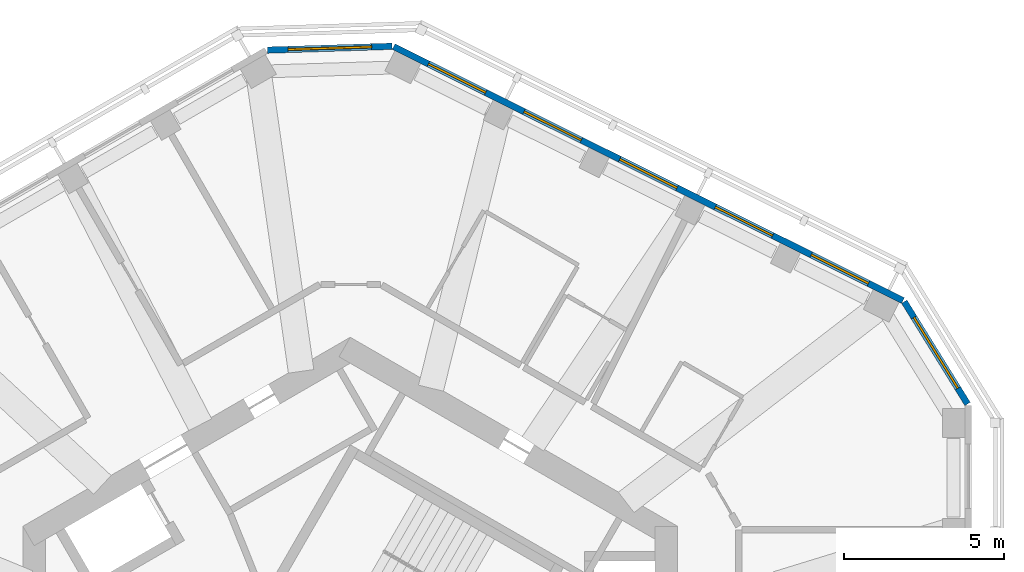
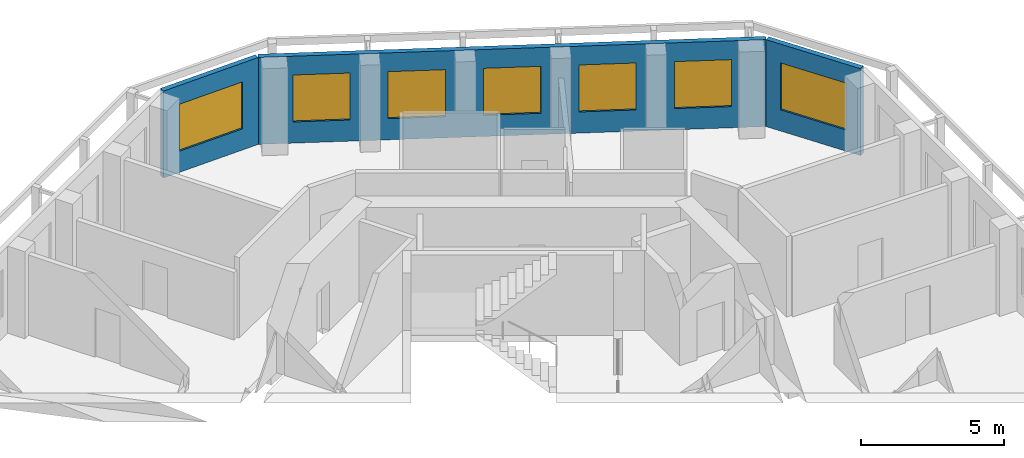
# One storey, part 8 of 11: 7 windows, 3 walls, 7 openings.
"""IFC4 building model written with IfcOpenShell, lengths in metres."""

from ifc_helpers import new_model, si_unit, direction, frame, frame_2d, origin, place, context, subcontext, project, spatial, rectangle, extrude, material, layer, layer_set, type_object, element, fill, save


model = new_model("IFC4")

# Units and contexts
model_context = context("Model", 3, precision=1e-05, world=origin(), true_north=direction((0.0, 1.0)))
body_context = subcontext(model_context, "Body", "Model", "MODEL_VIEW")
ifc_project = project(units=[si_unit("LENGTHUNIT", "METRE"), si_unit("AREAUNIT", "SQUARE_METRE"), si_unit("VOLUMEUNIT", "CUBIC_METRE"), si_unit("PLANEANGLEUNIT", "RADIAN"), si_unit("MASSUNIT", "GRAM", prefix="KILO")], contexts=[model_context])

# Site, building, storey
site_placement = place(None, origin())
site = spatial("IfcSite", under=ifc_project, at=site_placement, CompositionType="ELEMENT")
building_placement = place(site_placement, origin())
building = spatial("IfcBuilding", under=site, at=building_placement, Name="Vanh Sen Convention Tower", CompositionType="ELEMENT")
storey_placement = place(building_placement, frame((0.0, 0.0, 293.10009765625)))
storey = spatial("IfcBuildingStorey", under=building, at=storey_placement, Name="L72", CompositionType="ELEMENT", Elevation=293.10009765625)

# Wall, opening, window
ifc_material_1 = material(Name="Insulated lightweight infill wall")
ifc_layer = layer(ifc_material_1, 0.199951171875)
ifc_layer_set = layer_set([ifc_layer], Name="Insulated lightweight infill wall")
wall_type = type_object("IfcWallType", Name="External wall 200", PredefinedType="STANDARD", material=ifc_layer_set)
wall_1_placement = place(storey_placement, frame((19.235107421875, 9.699951171875, 0.0), z_axis=(0.0, 0.0, 1.0), x_axis=(-0.526233475464, 0.850340125656, 0.0)))
wall_1 = element("IfcWall", 1, at=wall_1_placement, inside=storey, type_object=wall_type, Name="External wall CH1 L72", PredefinedType="STANDARD", context=body_context, shape_type="SweptSolid", body=[
    extrude(rectangle(XDim=3.746826171875, YDim=0.199951171875, at=frame_2d((1.87353515625, 0.0))), origin(), (0.0, 0.0, 1.0), 3.699951171875),
])
opening_1_placement = place(wall_1_placement, frame((0.573486328125, 0.0, 0.89990234375)))
opening_1 = element("IfcOpeningElement", 2, at=opening_1_placement, cuts=wall_1, Name="Opening WO6-CH11", PredefinedType="OPENING", context=body_context, shape_type="SweptSolid", body=[
    extrude(rectangle(XDim=2.60009765625, YDim=2.0, at=frame_2d((1.300048828125, 1.0))), frame((0.0, 0.10986328125, 0.0), z_axis=(0.0, -1.0, 0.0), x_axis=(1.0, 0.0, 0.0)), (0.0, 0.0, 1.0), 0.219970703125),
])
ifc_material_2 = material(Name="Aluminium frame with clear low-emissivity glass", Category="aluminium")
window_type_1 = type_object("IfcWindowType", Name="Office window 2600 x 2000", PartitioningType="SINGLE_PANEL", PredefinedType="WINDOW", material=ifc_material_2)
window_1_placement = place(opening_1_placement, origin())
window_1 = element("IfcWindow", 3, at=window_1_placement, inside=storey, type_object=window_type_1, Name="Window WO6-CH11", OverallHeight=2.0, OverallWidth=2.60009765625, PartitioningType="SINGLE_PANEL", PredefinedType="WINDOW", context=body_context, shape_type="SweptSolid", body=[
    extrude(rectangle(XDim=2.60009765625, YDim=2.0, at=frame_2d((1.300048828125, 1.0))), frame((0.0, 0.030029296875, 0.0), z_axis=(0.0, -1.0, 0.0), x_axis=(1.0, 0.0, 0.0)), (0.0, 0.0, 1.0), 0.06005859375),
])
fill(opening_1, window_1)

# Wall, openings, windows
wall_2_placement = place(storey_placement, frame((17.222900390625, 12.9228515625, 0.0), z_axis=(0.0, 0.0, 1.0), x_axis=(-0.894930561148, 0.44620543556, 0.0)))
wall_2 = element("IfcWall", 4, at=wall_2_placement, inside=storey, type_object=wall_type, Name="External wall NE L72", PredefinedType="STANDARD", context=body_context, shape_type="SweptSolid", body=[
    extrude(rectangle(XDim=17.7314453125, YDim=0.199951171875, at=frame_2d((8.86572265625, 0.0))), origin(), (0.0, 0.0, 1.0), 3.699951171875),
])
opening_2_placement = place(wall_2_placement, frame((1.20166015625, 0.0, 0.89990234375)))
opening_2 = element("IfcOpeningElement", 5, at=opening_2_placement, cuts=wall_2, Name="Opening WO5-NE1", PredefinedType="OPENING", context=body_context, shape_type="SweptSolid", body=[
    extrude(rectangle(XDim=2.0, YDim=2.0, at=frame_2d((1.0, 1.0))), frame((0.0, 0.10986328125, 0.0), z_axis=(0.0, -1.0, 0.0), x_axis=(1.0, 0.0, 0.0)), (0.0, 0.0, 1.0), 0.219970703125),
])
opening_3_placement = place(wall_2_placement, frame((4.533203125, 0.0, 0.89990234375)))
opening_3 = element("IfcOpeningElement", 6, at=opening_3_placement, cuts=wall_2, Name="Opening WO5-NE2", PredefinedType="OPENING", context=body_context, shape_type="SweptSolid", body=[
    extrude(rectangle(XDim=2.0, YDim=2.0, at=frame_2d((1.0, 1.0))), frame((0.0, 0.10986328125, 0.0), z_axis=(0.0, -1.0, 0.0), x_axis=(1.0, 0.0, 0.0)), (0.0, 0.0, 1.0), 0.219970703125),
])
opening_4_placement = place(wall_2_placement, frame((7.864990234375, 0.0, 0.89990234375)))
opening_4 = element("IfcOpeningElement", 7, at=opening_4_placement, cuts=wall_2, Name="Opening WO5-NE3", PredefinedType="OPENING", context=body_context, shape_type="SweptSolid", body=[
    extrude(rectangle(XDim=2.0, YDim=2.0, at=frame_2d((1.0, 1.0))), frame((0.0, 0.10986328125, 0.0), z_axis=(0.0, -1.0, 0.0), x_axis=(1.0, 0.0, 0.0)), (0.0, 0.0, 1.0), 0.219970703125),
])
opening_5_placement = place(wall_2_placement, frame((11.196533203125, 0.0, 0.89990234375)))
opening_5 = element("IfcOpeningElement", 8, at=opening_5_placement, cuts=wall_2, Name="Opening WO5-NE4", PredefinedType="OPENING", context=body_context, shape_type="SweptSolid", body=[
    extrude(rectangle(XDim=2.0, YDim=2.0, at=frame_2d((1.0, 1.0))), frame((0.0, 0.10986328125, 0.0), z_axis=(0.0, -1.0, 0.0), x_axis=(1.0, 0.0, 0.0)), (0.0, 0.0, 1.0), 0.219970703125),
])
opening_6_placement = place(wall_2_placement, frame((14.5283203125, 0.0, 0.89990234375)))
opening_6 = element("IfcOpeningElement", 9, at=opening_6_placement, cuts=wall_2, Name="Opening WO5-NE5", PredefinedType="OPENING", context=body_context, shape_type="SweptSolid", body=[
    extrude(rectangle(XDim=2.0, YDim=2.0, at=frame_2d((1.0, 1.0))), frame((0.0, 0.10986328125, 0.0), z_axis=(0.0, -1.0, 0.0), x_axis=(1.0, 0.0, 0.0)), (0.0, 0.0, 1.0), 0.219970703125),
])
window_type_2 = type_object("IfcWindowType", Name="Office window 2000 x 2000", PartitioningType="SINGLE_PANEL", PredefinedType="WINDOW", material=ifc_material_2)
window_2_placement = place(opening_2_placement, origin())
window_2 = element("IfcWindow", 10, at=window_2_placement, inside=storey, type_object=window_type_2, Name="Window WO5-NE1", OverallHeight=2.0, OverallWidth=2.0, PartitioningType="SINGLE_PANEL", PredefinedType="WINDOW", context=body_context, shape_type="SweptSolid", body=[
    extrude(rectangle(XDim=2.0, YDim=2.0, at=frame_2d((1.0, 1.0))), frame((0.0, 0.030029296875, 0.0), z_axis=(0.0, -1.0, 0.0), x_axis=(1.0, 0.0, 0.0)), (0.0, 0.0, 1.0), 0.06005859375),
])
fill(opening_2, window_2)
window_3_placement = place(opening_3_placement, origin())
window_3 = element("IfcWindow", 11, at=window_3_placement, inside=storey, type_object=window_type_2, Name="Window WO5-NE2", OverallHeight=2.0, OverallWidth=2.0, PartitioningType="SINGLE_PANEL", PredefinedType="WINDOW", context=body_context, shape_type="SweptSolid", body=[
    extrude(rectangle(XDim=2.0, YDim=2.0, at=frame_2d((1.0, 1.0))), frame((0.0, 0.030029296875, 0.0), z_axis=(0.0, -1.0, 0.0), x_axis=(1.0, 0.0, 0.0)), (0.0, 0.0, 1.0), 0.06005859375),
])
fill(opening_3, window_3)
window_4_placement = place(opening_4_placement, origin())
window_4 = element("IfcWindow", 12, at=window_4_placement, inside=storey, type_object=window_type_2, Name="Window WO5-NE3", OverallHeight=2.0, OverallWidth=2.0, PartitioningType="SINGLE_PANEL", PredefinedType="WINDOW", context=body_context, shape_type="SweptSolid", body=[
    extrude(rectangle(XDim=2.0, YDim=2.0, at=frame_2d((1.0, 1.0))), frame((0.0, 0.030029296875, 0.0), z_axis=(0.0, -1.0, 0.0), x_axis=(1.0, 0.0, 0.0)), (0.0, 0.0, 1.0), 0.06005859375),
])
fill(opening_4, window_4)
window_5_placement = place(opening_5_placement, origin())
window_5 = element("IfcWindow", 13, at=window_5_placement, inside=storey, type_object=window_type_2, Name="Window WO5-NE4", OverallHeight=2.0, OverallWidth=2.0, PartitioningType="SINGLE_PANEL", PredefinedType="WINDOW", context=body_context, shape_type="SweptSolid", body=[
    extrude(rectangle(XDim=2.0, YDim=2.0, at=frame_2d((1.0, 1.0))), frame((0.0, 0.030029296875, 0.0), z_axis=(0.0, -1.0, 0.0), x_axis=(1.0, 0.0, 0.0)), (0.0, 0.0, 1.0), 0.06005859375),
])
fill(opening_5, window_5)
window_6_placement = place(opening_6_placement, origin())
window_6 = element("IfcWindow", 14, at=window_6_placement, inside=storey, type_object=window_type_2, Name="Window WO5-NE5", OverallHeight=2.0, OverallWidth=2.0, PartitioningType="SINGLE_PANEL", PredefinedType="WINDOW", context=body_context, shape_type="SweptSolid", body=[
    extrude(rectangle(XDim=2.0, YDim=2.0, at=frame_2d((1.0, 1.0))), frame((0.0, 0.030029296875, 0.0), z_axis=(0.0, -1.0, 0.0), x_axis=(1.0, 0.0, 0.0)), (0.0, 0.0, 1.0), 0.06005859375),
])
fill(opening_6, window_6)

# Wall, opening, window
wall_3_placement = place(storey_placement, frame((1.306884765625, 20.84521484375, 0.0), z_axis=(0.0, 0.0, 1.0), x_axis=(-0.999533654813, -0.030536419175, 0.0)))
wall_3 = element("IfcWall", 15, at=wall_3_placement, inside=storey, type_object=wall_type, Name="External wall CH2 L72", PredefinedType="STANDARD", context=body_context, shape_type="SweptSolid", body=[
    extrude(rectangle(XDim=3.885498046875, YDim=0.199951171875, at=frame_2d((1.94287109375, 0.0))), origin(), (0.0, 0.0, 1.0), 3.699951171875),
])
opening_7_placement = place(wall_3_placement, frame((0.642822265625, 0.0, 0.89990234375)))
opening_7 = element("IfcOpeningElement", 16, at=opening_7_placement, cuts=wall_3, Name="Opening WO6-CH21", PredefinedType="OPENING", context=body_context, shape_type="SweptSolid", body=[
    extrude(rectangle(XDim=2.60009765625, YDim=2.0, at=frame_2d((1.300048828125, 1.0))), frame((0.0, 0.10986328125, 0.0), z_axis=(0.0, -1.0, 0.0), x_axis=(1.0, 0.0, 0.0)), (0.0, 0.0, 1.0), 0.219970703125),
])
window_7_placement = place(opening_7_placement, origin())
window_7 = element("IfcWindow", 17, at=window_7_placement, inside=storey, type_object=window_type_1, Name="Window WO6-CH21", OverallHeight=2.0, OverallWidth=2.60009765625, PartitioningType="SINGLE_PANEL", PredefinedType="WINDOW", context=body_context, shape_type="SweptSolid", body=[
    extrude(rectangle(XDim=2.60009765625, YDim=2.0, at=frame_2d((1.300048828125, 1.0))), frame((0.0, 0.030029296875, 0.0), z_axis=(0.0, -1.0, 0.0), x_axis=(1.0, 0.0, 0.0)), (0.0, 0.0, 1.0), 0.06005859375),
])
fill(opening_7, window_7)

save(model, "model.ifc")
